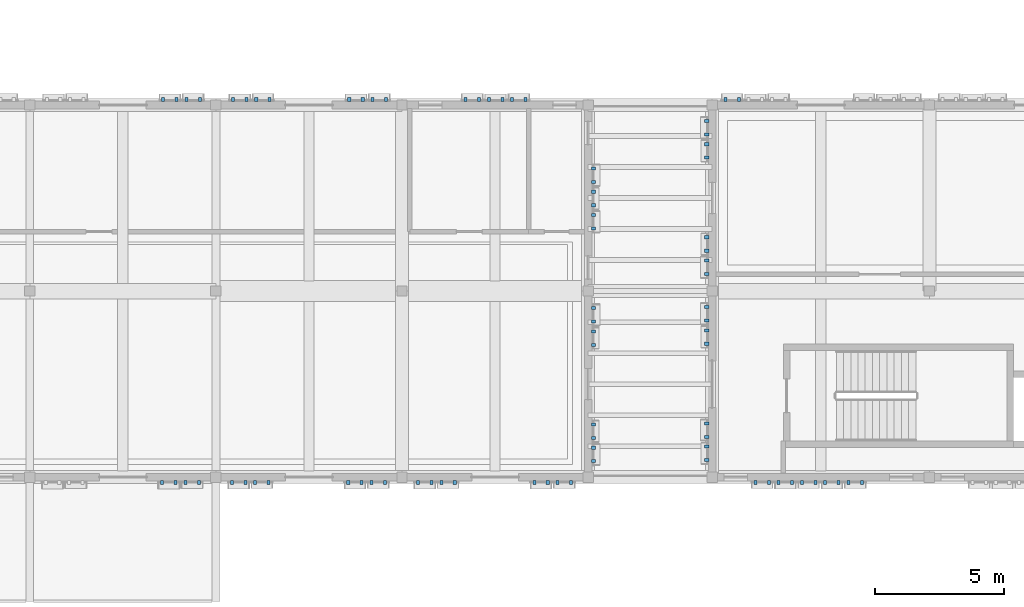
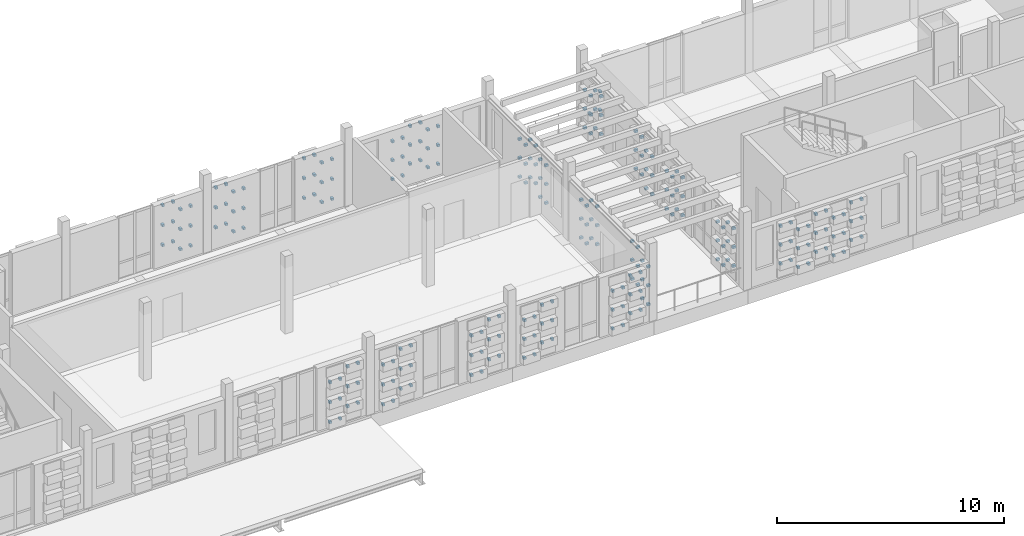
# One storey, part 83 of 99: 237 discrete accessories.
"""IFC4 building model written with IfcOpenShell, lengths in metres."""

from ifc_helpers import new_model, si_unit, direction, frame, origin, origin_2d, place, context, subcontext, project, spatial, rectangle, extrude, material, type_object, element, save


model = new_model("IFC4")

# Units and contexts
model_context = context("Model", 3, precision=1e-05, world=origin(), true_north=direction((0.0, 1.0)))
body_context = subcontext(model_context, "Body", "Model", "MODEL_VIEW")
ifc_project = project(units=[si_unit("LENGTHUNIT", "METRE"), si_unit("AREAUNIT", "SQUARE_METRE"), si_unit("VOLUMEUNIT", "CUBIC_METRE"), si_unit("PLANEANGLEUNIT", "RADIAN"), si_unit("MASSUNIT", "GRAM", prefix="KILO")], contexts=[model_context])

# Site, building, storey
site_placement = place(None, origin())
site = spatial("IfcSite", under=ifc_project, at=site_placement, CompositionType="ELEMENT")
building_placement = place(site_placement, origin())
building = spatial("IfcBuilding", under=site, at=building_placement, Name="Kahlenmark Community Centre", CompositionType="ELEMENT")
storey_placement = place(building_placement, frame((0.0, 0.0, 5.39990234375)))
storey = spatial("IfcBuildingStorey", under=building, at=storey_placement, Name="L01", CompositionType="ELEMENT", Elevation=5.39990234375)

# Discrete accessories
ifc_material = material(Name="Stainless steel 1.4401 rainscreen bracket", Category="steel")
discrete_accessory_type = type_object("IfcDiscreteAccessoryType", Name="DAT-BRACKET-TC", PredefinedType="BRACKET", material=ifc_material)
for number, where, z_axis, x_axis, name in (
    (1, (70.320068359375, 8.590087890625, 0.28759765625), (0.0, 0.0, 1.0), (1.0, 0.0, 0.0), "Terracotta cassette bracket 0989.1"),
    (2, (70.840087890625, 8.590087890625, 0.28759765625), (0.0, 0.0, 1.0), (1.0, 0.0, 0.0), "Terracotta cassette bracket 0989.2"),
    (3, (70.320068359375, 8.590087890625, 1.357421875), (0.0, 0.0, 1.0), (1.0, 0.0, 0.0), "Terracotta cassette bracket 0991.1"),
    (4, (70.840087890625, 8.590087890625, 1.357421875), (0.0, 0.0, 1.0), (1.0, 0.0, 0.0), "Terracotta cassette bracket 0991.2"),
    (5, (70.320068359375, 8.590087890625, 2.427490234375), (0.0, 0.0, 1.0), (1.0, 0.0, 0.0), "Terracotta cassette bracket 0993.1"),
    (6, (70.840087890625, 8.590087890625, 2.427490234375), (0.0, 0.0, 1.0), (1.0, 0.0, 0.0), "Terracotta cassette bracket 0993.2"),
    (7, (71.219970703125, 8.590087890625, 0.822509765625), (0.0, 0.0, 1.0), (1.0, 0.0, 0.0), "Terracotta cassette bracket 0996.1"),
    (8, (71.739990234375, 8.590087890625, 0.822509765625), (0.0, 0.0, 1.0), (1.0, 0.0, 0.0), "Terracotta cassette bracket 0996.2"),
    (9, (71.219970703125, 8.590087890625, 1.892578125), (0.0, 0.0, 1.0), (1.0, 0.0, 0.0), "Terracotta cassette bracket 0998.1"),
    (10, (71.739990234375, 8.590087890625, 1.892578125), (0.0, 0.0, 1.0), (1.0, 0.0, 0.0), "Terracotta cassette bracket 0998.2"),
    (11, (71.219970703125, 8.590087890625, 2.962646484375), (0.0, 0.0, 1.0), (1.0, 0.0, 0.0), "Terracotta cassette bracket 1000.1"),
    (12, (71.739990234375, 8.590087890625, 2.962646484375), (0.0, 0.0, 1.0), (1.0, 0.0, 0.0), "Terracotta cassette bracket 1000.2"),
    (13, (73.02001953125, 8.590087890625, 0.28759765625), (0.0, 0.0, 1.0), (1.0, 0.0, 0.0), "Terracotta cassette bracket 1001.1"),
    (14, (73.5400390625, 8.590087890625, 0.28759765625), (0.0, 0.0, 1.0), (1.0, 0.0, 0.0), "Terracotta cassette bracket 1001.2"),
    (15, (73.02001953125, 8.590087890625, 1.357421875), (0.0, 0.0, 1.0), (1.0, 0.0, 0.0), "Terracotta cassette bracket 1003.1"),
    (16, (73.5400390625, 8.590087890625, 1.357421875), (0.0, 0.0, 1.0), (1.0, 0.0, 0.0), "Terracotta cassette bracket 1003.2"),
    (17, (73.02001953125, 8.590087890625, 2.427490234375), (0.0, 0.0, 1.0), (1.0, 0.0, 0.0), "Terracotta cassette bracket 1005.1"),
    (18, (73.5400390625, 8.590087890625, 2.427490234375), (0.0, 0.0, 1.0), (1.0, 0.0, 0.0), "Terracotta cassette bracket 1005.2"),
    (19, (73.919921875, 8.590087890625, 0.822509765625), (0.0, 0.0, 1.0), (1.0, 0.0, 0.0), "Terracotta cassette bracket 1008.1"),
    (20, (74.43994140625, 8.590087890625, 0.822509765625), (0.0, 0.0, 1.0), (1.0, 0.0, 0.0), "Terracotta cassette bracket 1008.2"),
    (21, (73.919921875, 8.590087890625, 1.892578125), (0.0, 0.0, 1.0), (1.0, 0.0, 0.0), "Terracotta cassette bracket 1010.1"),
    (22, (74.43994140625, 8.590087890625, 1.892578125), (0.0, 0.0, 1.0), (1.0, 0.0, 0.0), "Terracotta cassette bracket 1010.2"),
    (23, (73.919921875, 8.590087890625, 2.962646484375), (0.0, 0.0, 1.0), (1.0, 0.0, 0.0), "Terracotta cassette bracket 1012.1"),
    (24, (74.43994140625, 8.590087890625, 2.962646484375), (0.0, 0.0, 1.0), (1.0, 0.0, 0.0), "Terracotta cassette bracket 1012.2"),
    (25, (77.52001953125, 8.590087890625, 0.28759765625), (0.0, 0.0, 1.0), (1.0, 0.0, 0.0), "Terracotta cassette bracket 1013.1"),
    (26, (78.0400390625, 8.590087890625, 0.28759765625), (0.0, 0.0, 1.0), (1.0, 0.0, 0.0), "Terracotta cassette bracket 1013.2"),
    (27, (77.52001953125, 8.590087890625, 1.357421875), (0.0, 0.0, 1.0), (1.0, 0.0, 0.0), "Terracotta cassette bracket 1015.1"),
    (28, (78.0400390625, 8.590087890625, 1.357421875), (0.0, 0.0, 1.0), (1.0, 0.0, 0.0), "Terracotta cassette bracket 1015.2"),
    (29, (77.52001953125, 8.590087890625, 2.427490234375), (0.0, 0.0, 1.0), (1.0, 0.0, 0.0), "Terracotta cassette bracket 1017.1"),
    (30, (78.0400390625, 8.590087890625, 2.427490234375), (0.0, 0.0, 1.0), (1.0, 0.0, 0.0), "Terracotta cassette bracket 1017.2"),
    (31, (78.419921875, 8.590087890625, 0.822509765625), (0.0, 0.0, 1.0), (1.0, 0.0, 0.0), "Terracotta cassette bracket 1020.1"),
    (32, (78.93994140625, 8.590087890625, 0.822509765625), (0.0, 0.0, 1.0), (1.0, 0.0, 0.0), "Terracotta cassette bracket 1020.2"),
    (33, (78.419921875, 8.590087890625, 1.892578125), (0.0, 0.0, 1.0), (1.0, 0.0, 0.0), "Terracotta cassette bracket 1022.1"),
    (34, (78.93994140625, 8.590087890625, 1.892578125), (0.0, 0.0, 1.0), (1.0, 0.0, 0.0), "Terracotta cassette bracket 1022.2"),
    (35, (78.419921875, 8.590087890625, 2.962646484375), (0.0, 0.0, 1.0), (1.0, 0.0, 0.0), "Terracotta cassette bracket 1024.1"),
    (36, (78.93994140625, 8.590087890625, 2.962646484375), (0.0, 0.0, 1.0), (1.0, 0.0, 0.0), "Terracotta cassette bracket 1024.2"),
    (37, (80.219970703125, 8.590087890625, 0.27392578125), (0.0, 0.0, 1.0), (1.0, 0.0, 0.0), "Terracotta cassette bracket 1025.1"),
    (38, (80.739990234375, 8.590087890625, 0.27392578125), (0.0, 0.0, 1.0), (1.0, 0.0, 0.0), "Terracotta cassette bracket 1025.2"),
    (39, (80.219970703125, 8.590087890625, 1.2900390625), (0.0, 0.0, 1.0), (1.0, 0.0, 0.0), "Terracotta cassette bracket 1027.1"),
    (40, (80.739990234375, 8.590087890625, 1.2900390625), (0.0, 0.0, 1.0), (1.0, 0.0, 0.0), "Terracotta cassette bracket 1027.2"),
    (41, (80.219970703125, 8.590087890625, 2.30615234375), (0.0, 0.0, 1.0), (1.0, 0.0, 0.0), "Terracotta cassette bracket 1029.1"),
    (42, (80.739990234375, 8.590087890625, 2.30615234375), (0.0, 0.0, 1.0), (1.0, 0.0, 0.0), "Terracotta cassette bracket 1029.2"),
    (43, (81.1201171875, 8.590087890625, 0.781982421875), (0.0, 0.0, 1.0), (1.0, 0.0, 0.0), "Terracotta cassette bracket 1032.1"),
    (44, (81.639892578125, 8.590087890625, 0.781982421875), (0.0, 0.0, 1.0), (1.0, 0.0, 0.0), "Terracotta cassette bracket 1032.2"),
    (45, (81.1201171875, 8.590087890625, 1.798095703125), (0.0, 0.0, 1.0), (1.0, 0.0, 0.0), "Terracotta cassette bracket 1034.1"),
    (46, (81.639892578125, 8.590087890625, 1.798095703125), (0.0, 0.0, 1.0), (1.0, 0.0, 0.0), "Terracotta cassette bracket 1034.2"),
    (47, (81.1201171875, 8.590087890625, 2.81396484375), (0.0, 0.0, 1.0), (1.0, 0.0, 0.0), "Terracotta cassette bracket 1036.1"),
    (48, (81.639892578125, 8.590087890625, 2.81396484375), (0.0, 0.0, 1.0), (1.0, 0.0, 0.0), "Terracotta cassette bracket 1036.2"),
    (49, (84.719970703125, 8.590087890625, 0.27392578125), (0.0, 0.0, 1.0), (1.0, 0.0, 0.0), "Terracotta cassette bracket 1037.1"),
    (50, (85.239990234375, 8.590087890625, 0.27392578125), (0.0, 0.0, 1.0), (1.0, 0.0, 0.0), "Terracotta cassette bracket 1037.2"),
    (51, (84.719970703125, 8.590087890625, 1.2900390625), (0.0, 0.0, 1.0), (1.0, 0.0, 0.0), "Terracotta cassette bracket 1039.1"),
    (52, (85.239990234375, 8.590087890625, 1.2900390625), (0.0, 0.0, 1.0), (1.0, 0.0, 0.0), "Terracotta cassette bracket 1039.2"),
    (53, (84.719970703125, 8.590087890625, 2.30615234375), (0.0, 0.0, 1.0), (1.0, 0.0, 0.0), "Terracotta cassette bracket 1041.1"),
    (54, (85.239990234375, 8.590087890625, 2.30615234375), (0.0, 0.0, 1.0), (1.0, 0.0, 0.0), "Terracotta cassette bracket 1041.2"),
    (55, (85.6201171875, 8.590087890625, 0.781982421875), (0.0, 0.0, 1.0), (1.0, 0.0, 0.0), "Terracotta cassette bracket 1044.1"),
    (56, (86.139892578125, 8.590087890625, 0.781982421875), (0.0, 0.0, 1.0), (1.0, 0.0, 0.0), "Terracotta cassette bracket 1044.2"),
    (57, (85.6201171875, 8.590087890625, 1.798095703125), (0.0, 0.0, 1.0), (1.0, 0.0, 0.0), "Terracotta cassette bracket 1046.1"),
    (58, (86.139892578125, 8.590087890625, 1.798095703125), (0.0, 0.0, 1.0), (1.0, 0.0, 0.0), "Terracotta cassette bracket 1046.2"),
    (59, (85.6201171875, 8.590087890625, 2.81396484375), (0.0, 0.0, 1.0), (1.0, 0.0, 0.0), "Terracotta cassette bracket 1048.1"),
    (60, (86.139892578125, 8.590087890625, 2.81396484375), (0.0, 0.0, 1.0), (1.0, 0.0, 0.0), "Terracotta cassette bracket 1048.2"),
    (61, (71.780029296875, 23.409912109375, 0.28759765625), (0.0, 0.0, 1.0), (-1.0, 0.0, 0.0), "Terracotta cassette bracket 1097.1"),
    (62, (71.260009765625, 23.409912109375, 0.28759765625), (0.0, 0.0, 1.0), (-1.0, 0.0, 0.0), "Terracotta cassette bracket 1097.2"),
    (63, (71.780029296875, 23.409912109375, 1.357421875), (0.0, 0.0, 1.0), (-1.0, 0.0, 0.0), "Terracotta cassette bracket 1099.1"),
    (64, (71.260009765625, 23.409912109375, 1.357421875), (0.0, 0.0, 1.0), (-1.0, 0.0, 0.0), "Terracotta cassette bracket 1099.2"),
    (65, (71.780029296875, 23.409912109375, 2.427490234375), (0.0, 0.0, 1.0), (-1.0, 0.0, 0.0), "Terracotta cassette bracket 1101.1"),
    (66, (71.260009765625, 23.409912109375, 2.427490234375), (0.0, 0.0, 1.0), (-1.0, 0.0, 0.0), "Terracotta cassette bracket 1101.2"),
    (67, (70.8798828125, 23.409912109375, 0.822509765625), (0.0, 0.0, 1.0), (-1.0, 0.0, 0.0), "Terracotta cassette bracket 1104.1"),
    (68, (70.360107421875, 23.409912109375, 0.822509765625), (0.0, 0.0, 1.0), (-1.0, 0.0, 0.0), "Terracotta cassette bracket 1104.2"),
    (69, (70.8798828125, 23.409912109375, 1.892578125), (0.0, 0.0, 1.0), (-1.0, 0.0, 0.0), "Terracotta cassette bracket 1106.1"),
    (70, (70.360107421875, 23.409912109375, 1.892578125), (0.0, 0.0, 1.0), (-1.0, 0.0, 0.0), "Terracotta cassette bracket 1106.2"),
    (71, (70.8798828125, 23.409912109375, 2.962646484375), (0.0, 0.0, 1.0), (-1.0, 0.0, 0.0), "Terracotta cassette bracket 1108.1"),
    (72, (70.360107421875, 23.409912109375, 2.962646484375), (0.0, 0.0, 1.0), (-1.0, 0.0, 0.0), "Terracotta cassette bracket 1108.2"),
    (73, (78.97998046875, 23.409912109375, 0.28759765625), (0.0, 0.0, 1.0), (-1.0, 0.0, 0.0), "Terracotta cassette bracket 1121.1"),
    (74, (78.4599609375, 23.409912109375, 0.28759765625), (0.0, 0.0, 1.0), (-1.0, 0.0, 0.0), "Terracotta cassette bracket 1121.2"),
    (75, (78.97998046875, 23.409912109375, 1.357421875), (0.0, 0.0, 1.0), (-1.0, 0.0, 0.0), "Terracotta cassette bracket 1123.1"),
    (76, (78.4599609375, 23.409912109375, 1.357421875), (0.0, 0.0, 1.0), (-1.0, 0.0, 0.0), "Terracotta cassette bracket 1123.2"),
    (77, (78.97998046875, 23.409912109375, 2.427490234375), (0.0, 0.0, 1.0), (-1.0, 0.0, 0.0), "Terracotta cassette bracket 1125.1"),
    (78, (78.4599609375, 23.409912109375, 2.427490234375), (0.0, 0.0, 1.0), (-1.0, 0.0, 0.0), "Terracotta cassette bracket 1125.2"),
    (79, (78.080078125, 23.409912109375, 0.822509765625), (0.0, 0.0, 1.0), (-1.0, 0.0, 0.0), "Terracotta cassette bracket 1128.1"),
    (80, (77.56005859375, 23.409912109375, 0.822509765625), (0.0, 0.0, 1.0), (-1.0, 0.0, 0.0), "Terracotta cassette bracket 1128.2"),
    (81, (78.080078125, 23.409912109375, 1.892578125), (0.0, 0.0, 1.0), (-1.0, 0.0, 0.0), "Terracotta cassette bracket 1130.1"),
    (82, (77.56005859375, 23.409912109375, 1.892578125), (0.0, 0.0, 1.0), (-1.0, 0.0, 0.0), "Terracotta cassette bracket 1130.2"),
    (83, (78.080078125, 23.409912109375, 2.962646484375), (0.0, 0.0, 1.0), (-1.0, 0.0, 0.0), "Terracotta cassette bracket 1132.1"),
    (84, (77.56005859375, 23.409912109375, 2.962646484375), (0.0, 0.0, 1.0), (-1.0, 0.0, 0.0), "Terracotta cassette bracket 1132.2"),
    (85, (74.47998046875, 23.409912109375, 0.28759765625), (0.0, 0.0, 1.0), (-1.0, 0.0, 0.0), "Terracotta cassette bracket 1133.1"),
    (86, (73.9599609375, 23.409912109375, 0.28759765625), (0.0, 0.0, 1.0), (-1.0, 0.0, 0.0), "Terracotta cassette bracket 1133.2"),
    (87, (74.47998046875, 23.409912109375, 1.357421875), (0.0, 0.0, 1.0), (-1.0, 0.0, 0.0), "Terracotta cassette bracket 1135.1"),
    (88, (73.9599609375, 23.409912109375, 1.357421875), (0.0, 0.0, 1.0), (-1.0, 0.0, 0.0), "Terracotta cassette bracket 1135.2"),
    (89, (74.47998046875, 23.409912109375, 2.427490234375), (0.0, 0.0, 1.0), (-1.0, 0.0, 0.0), "Terracotta cassette bracket 1137.1"),
    (90, (73.9599609375, 23.409912109375, 2.427490234375), (0.0, 0.0, 1.0), (-1.0, 0.0, 0.0), "Terracotta cassette bracket 1137.2"),
    (91, (73.580078125, 23.409912109375, 0.822509765625), (0.0, 0.0, 1.0), (-1.0, 0.0, 0.0), "Terracotta cassette bracket 1140.1"),
    (92, (73.06005859375, 23.409912109375, 0.822509765625), (0.0, 0.0, 1.0), (-1.0, 0.0, 0.0), "Terracotta cassette bracket 1140.2"),
    (93, (73.580078125, 23.409912109375, 1.892578125), (0.0, 0.0, 1.0), (-1.0, 0.0, 0.0), "Terracotta cassette bracket 1142.1"),
    (94, (73.06005859375, 23.409912109375, 1.892578125), (0.0, 0.0, 1.0), (-1.0, 0.0, 0.0), "Terracotta cassette bracket 1142.2"),
    (95, (73.580078125, 23.409912109375, 2.962646484375), (0.0, 0.0, 1.0), (-1.0, 0.0, 0.0), "Terracotta cassette bracket 1144.1"),
    (96, (73.06005859375, 23.409912109375, 2.962646484375), (0.0, 0.0, 1.0), (-1.0, 0.0, 0.0), "Terracotta cassette bracket 1144.2"),
    (97, (84.3798828125, 23.409912109375, 0.27392578125), (0.0, 0.0, 1.0), (-1.0, 0.0, 0.0), "Terracotta cassette bracket 1145.1"),
    (98, (83.860107421875, 23.409912109375, 0.27392578125), (0.0, 0.0, 1.0), (-1.0, 0.0, 0.0), "Terracotta cassette bracket 1145.2"),
    (99, (84.3798828125, 23.409912109375, 1.2900390625), (0.0, 0.0, 1.0), (-1.0, 0.0, 0.0), "Terracotta cassette bracket 1147.1"),
    (100, (83.860107421875, 23.409912109375, 1.2900390625), (0.0, 0.0, 1.0), (-1.0, 0.0, 0.0), "Terracotta cassette bracket 1147.2"),
    (101, (84.3798828125, 23.409912109375, 2.30615234375), (0.0, 0.0, 1.0), (-1.0, 0.0, 0.0), "Terracotta cassette bracket 1149.1"),
    (102, (83.860107421875, 23.409912109375, 2.30615234375), (0.0, 0.0, 1.0), (-1.0, 0.0, 0.0), "Terracotta cassette bracket 1149.2"),
    (103, (83.47998046875, 23.409912109375, 0.781982421875), (0.0, 0.0, 1.0), (-1.0, 0.0, 0.0), "Terracotta cassette bracket 1152.1"),
    (104, (82.9599609375, 23.409912109375, 0.781982421875), (0.0, 0.0, 1.0), (-1.0, 0.0, 0.0), "Terracotta cassette bracket 1152.2"),
    (105, (83.47998046875, 23.409912109375, 1.798095703125), (0.0, 0.0, 1.0), (-1.0, 0.0, 0.0), "Terracotta cassette bracket 1154.1"),
    (106, (82.9599609375, 23.409912109375, 1.798095703125), (0.0, 0.0, 1.0), (-1.0, 0.0, 0.0), "Terracotta cassette bracket 1154.2"),
    (107, (83.47998046875, 23.409912109375, 2.81396484375), (0.0, 0.0, 1.0), (-1.0, 0.0, 0.0), "Terracotta cassette bracket 1156.1"),
    (108, (82.9599609375, 23.409912109375, 2.81396484375), (0.0, 0.0, 1.0), (-1.0, 0.0, 0.0), "Terracotta cassette bracket 1156.2"),
    (109, (82.580078125, 23.409912109375, 0.27392578125), (0.0, 0.0, 1.0), (-1.0, 0.0, 0.0), "Terracotta cassette bracket 1157.1"),
    (110, (82.06005859375, 23.409912109375, 0.27392578125), (0.0, 0.0, 1.0), (-1.0, 0.0, 0.0), "Terracotta cassette bracket 1157.2"),
    (111, (82.580078125, 23.409912109375, 1.2900390625), (0.0, 0.0, 1.0), (-1.0, 0.0, 0.0), "Terracotta cassette bracket 1159.1"),
    (112, (82.06005859375, 23.409912109375, 1.2900390625), (0.0, 0.0, 1.0), (-1.0, 0.0, 0.0), "Terracotta cassette bracket 1159.2"),
    (113, (82.580078125, 23.409912109375, 2.30615234375), (0.0, 0.0, 1.0), (-1.0, 0.0, 0.0), "Terracotta cassette bracket 1161.1"),
    (114, (82.06005859375, 23.409912109375, 2.30615234375), (0.0, 0.0, 1.0), (-1.0, 0.0, 0.0), "Terracotta cassette bracket 1161.2"),
    (115, (87.010009765625, 9.419921875, 0.27392578125), (0.0, 0.0, 1.0), (0.0, 1.0, 0.0), "Terracotta cassette bracket 1211.1"),
    (116, (87.010009765625, 9.93994140625, 0.27392578125), (0.0, 0.0, 1.0), (0.0, 1.0, 0.0), "Terracotta cassette bracket 1211.2"),
    (117, (87.010009765625, 9.419921875, 1.2900390625), (0.0, 0.0, 1.0), (0.0, 1.0, 0.0), "Terracotta cassette bracket 1213.1"),
    (118, (87.010009765625, 9.93994140625, 1.2900390625), (0.0, 0.0, 1.0), (0.0, 1.0, 0.0), "Terracotta cassette bracket 1213.2"),
    (119, (87.010009765625, 9.419921875, 2.30615234375), (0.0, 0.0, 1.0), (0.0, 1.0, 0.0), "Terracotta cassette bracket 1215.1"),
    (120, (87.010009765625, 9.93994140625, 2.30615234375), (0.0, 0.0, 1.0), (0.0, 1.0, 0.0), "Terracotta cassette bracket 1215.2"),
    (121, (87.010009765625, 10.320068359375, 0.781982421875), (0.0, 0.0, 1.0), (0.0, 1.0, 0.0), "Terracotta cassette bracket 1218.1"),
    (122, (87.010009765625, 10.840087890625, 0.781982421875), (0.0, 0.0, 1.0), (0.0, 1.0, 0.0), "Terracotta cassette bracket 1218.2"),
    (123, (87.010009765625, 10.320068359375, 1.798095703125), (0.0, 0.0, 1.0), (0.0, 1.0, 0.0), "Terracotta cassette bracket 1220.1"),
    (124, (87.010009765625, 10.840087890625, 1.798095703125), (0.0, 0.0, 1.0), (0.0, 1.0, 0.0), "Terracotta cassette bracket 1220.2"),
    (125, (87.010009765625, 10.320068359375, 2.81396484375), (0.0, 0.0, 1.0), (0.0, 1.0, 0.0), "Terracotta cassette bracket 1222.1"),
    (126, (87.010009765625, 10.840087890625, 2.81396484375), (0.0, 0.0, 1.0), (0.0, 1.0, 0.0), "Terracotta cassette bracket 1222.2"),
    (127, (87.010009765625, 13.919921875, 0.781982421875), (0.0, 0.0, 1.0), (0.0, 1.0, 0.0), "Terracotta cassette bracket 1224.1"),
    (128, (87.010009765625, 14.43994140625, 0.781982421875), (0.0, 0.0, 1.0), (0.0, 1.0, 0.0), "Terracotta cassette bracket 1224.2"),
    (129, (87.010009765625, 13.919921875, 1.798095703125), (0.0, 0.0, 1.0), (0.0, 1.0, 0.0), "Terracotta cassette bracket 1226.1"),
    (130, (87.010009765625, 14.43994140625, 1.798095703125), (0.0, 0.0, 1.0), (0.0, 1.0, 0.0), "Terracotta cassette bracket 1226.2"),
    (131, (87.010009765625, 13.919921875, 2.81396484375), (0.0, 0.0, 1.0), (0.0, 1.0, 0.0), "Terracotta cassette bracket 1228.1"),
    (132, (87.010009765625, 14.43994140625, 2.81396484375), (0.0, 0.0, 1.0), (0.0, 1.0, 0.0), "Terracotta cassette bracket 1228.2"),
    (133, (87.010009765625, 14.820068359375, 0.27392578125), (0.0, 0.0, 1.0), (0.0, 1.0, 0.0), "Terracotta cassette bracket 1229.1"),
    (134, (87.010009765625, 15.340087890625, 0.27392578125), (0.0, 0.0, 1.0), (0.0, 1.0, 0.0), "Terracotta cassette bracket 1229.2"),
    (135, (87.010009765625, 14.820068359375, 1.2900390625), (0.0, 0.0, 1.0), (0.0, 1.0, 0.0), "Terracotta cassette bracket 1231.1"),
    (136, (87.010009765625, 15.340087890625, 1.2900390625), (0.0, 0.0, 1.0), (0.0, 1.0, 0.0), "Terracotta cassette bracket 1231.2"),
    (137, (87.010009765625, 14.820068359375, 2.30615234375), (0.0, 0.0, 1.0), (0.0, 1.0, 0.0), "Terracotta cassette bracket 1233.1"),
    (138, (87.010009765625, 15.340087890625, 2.30615234375), (0.0, 0.0, 1.0), (0.0, 1.0, 0.0), "Terracotta cassette bracket 1233.2"),
    (139, (87.010009765625, 18.419921875, 0.27392578125), (0.0, 0.0, 1.0), (0.0, 1.0, 0.0), "Terracotta cassette bracket 1235.1"),
    (140, (87.010009765625, 18.93994140625, 0.27392578125), (0.0, 0.0, 1.0), (0.0, 1.0, 0.0), "Terracotta cassette bracket 1235.2"),
    (141, (87.010009765625, 18.419921875, 1.2900390625), (0.0, 0.0, 1.0), (0.0, 1.0, 0.0), "Terracotta cassette bracket 1237.1"),
    (142, (87.010009765625, 18.93994140625, 1.2900390625), (0.0, 0.0, 1.0), (0.0, 1.0, 0.0), "Terracotta cassette bracket 1237.2"),
    (143, (87.010009765625, 18.419921875, 2.30615234375), (0.0, 0.0, 1.0), (0.0, 1.0, 0.0), "Terracotta cassette bracket 1239.1"),
    (144, (87.010009765625, 18.93994140625, 2.30615234375), (0.0, 0.0, 1.0), (0.0, 1.0, 0.0), "Terracotta cassette bracket 1239.2"),
    (145, (87.010009765625, 19.320068359375, 0.781982421875), (0.0, 0.0, 1.0), (0.0, 1.0, 0.0), "Terracotta cassette bracket 1242.1"),
    (146, (87.010009765625, 19.840087890625, 0.781982421875), (0.0, 0.0, 1.0), (0.0, 1.0, 0.0), "Terracotta cassette bracket 1242.2"),
    (147, (87.010009765625, 19.320068359375, 1.798095703125), (0.0, 0.0, 1.0), (0.0, 1.0, 0.0), "Terracotta cassette bracket 1244.1"),
    (148, (87.010009765625, 19.840087890625, 1.798095703125), (0.0, 0.0, 1.0), (0.0, 1.0, 0.0), "Terracotta cassette bracket 1244.2"),
    (149, (87.010009765625, 19.320068359375, 2.81396484375), (0.0, 0.0, 1.0), (0.0, 1.0, 0.0), "Terracotta cassette bracket 1246.1"),
    (150, (87.010009765625, 19.840087890625, 2.81396484375), (0.0, 0.0, 1.0), (0.0, 1.0, 0.0), "Terracotta cassette bracket 1246.2"),
    (151, (87.010009765625, 20.219970703125, 0.27392578125), (0.0, 0.0, 1.0), (0.0, 1.0, 0.0), "Terracotta cassette bracket 1247.1"),
    (152, (87.010009765625, 20.739990234375, 0.27392578125), (0.0, 0.0, 1.0), (0.0, 1.0, 0.0), "Terracotta cassette bracket 1247.2"),
    (153, (87.010009765625, 20.219970703125, 1.2900390625), (0.0, 0.0, 1.0), (0.0, 1.0, 0.0), "Terracotta cassette bracket 1249.1"),
    (154, (87.010009765625, 20.739990234375, 1.2900390625), (0.0, 0.0, 1.0), (0.0, 1.0, 0.0), "Terracotta cassette bracket 1249.2"),
    (155, (87.010009765625, 20.219970703125, 2.30615234375), (0.0, 0.0, 1.0), (0.0, 1.0, 0.0), "Terracotta cassette bracket 1251.1"),
    (156, (87.010009765625, 20.739990234375, 2.30615234375), (0.0, 0.0, 1.0), (0.0, 1.0, 0.0), "Terracotta cassette bracket 1251.2"),
    (157, (93.27001953125, 8.590087890625, 0.781982421875), (0.0, 0.0, 1.0), (1.0, 0.0, 0.0), "Terracotta cassette bracket 1254.1"),
    (158, (93.7900390625, 8.590087890625, 0.781982421875), (0.0, 0.0, 1.0), (1.0, 0.0, 0.0), "Terracotta cassette bracket 1254.2"),
    (159, (93.27001953125, 8.590087890625, 1.798095703125), (0.0, 0.0, 1.0), (1.0, 0.0, 0.0), "Terracotta cassette bracket 1256.1"),
    (160, (93.7900390625, 8.590087890625, 1.798095703125), (0.0, 0.0, 1.0), (1.0, 0.0, 0.0), "Terracotta cassette bracket 1256.2"),
    (161, (93.27001953125, 8.590087890625, 2.81396484375), (0.0, 0.0, 1.0), (1.0, 0.0, 0.0), "Terracotta cassette bracket 1258.1"),
    (162, (93.7900390625, 8.590087890625, 2.81396484375), (0.0, 0.0, 1.0), (1.0, 0.0, 0.0), "Terracotta cassette bracket 1258.2"),
    (163, (94.169921875, 8.590087890625, 0.27392578125), (0.0, 0.0, 1.0), (1.0, 0.0, 0.0), "Terracotta cassette bracket 1259.1"),
    (164, (94.68994140625, 8.590087890625, 0.27392578125), (0.0, 0.0, 1.0), (1.0, 0.0, 0.0), "Terracotta cassette bracket 1259.2"),
    (165, (94.169921875, 8.590087890625, 1.2900390625), (0.0, 0.0, 1.0), (1.0, 0.0, 0.0), "Terracotta cassette bracket 1261.1"),
    (166, (94.68994140625, 8.590087890625, 1.2900390625), (0.0, 0.0, 1.0), (1.0, 0.0, 0.0), "Terracotta cassette bracket 1261.2"),
    (167, (94.169921875, 8.590087890625, 2.30615234375), (0.0, 0.0, 1.0), (1.0, 0.0, 0.0), "Terracotta cassette bracket 1263.1"),
    (168, (94.68994140625, 8.590087890625, 2.30615234375), (0.0, 0.0, 1.0), (1.0, 0.0, 0.0), "Terracotta cassette bracket 1263.2"),
    (169, (95.070068359375, 8.590087890625, 0.781982421875), (0.0, 0.0, 1.0), (1.0, 0.0, 0.0), "Terracotta cassette bracket 1266.1"),
    (170, (95.590087890625, 8.590087890625, 0.781982421875), (0.0, 0.0, 1.0), (1.0, 0.0, 0.0), "Terracotta cassette bracket 1266.2"),
    (171, (95.070068359375, 8.590087890625, 1.798095703125), (0.0, 0.0, 1.0), (1.0, 0.0, 0.0), "Terracotta cassette bracket 1268.1"),
    (172, (95.590087890625, 8.590087890625, 1.798095703125), (0.0, 0.0, 1.0), (1.0, 0.0, 0.0), "Terracotta cassette bracket 1268.2"),
    (173, (95.070068359375, 8.590087890625, 2.81396484375), (0.0, 0.0, 1.0), (1.0, 0.0, 0.0), "Terracotta cassette bracket 1270.1"),
    (174, (95.590087890625, 8.590087890625, 2.81396484375), (0.0, 0.0, 1.0), (1.0, 0.0, 0.0), "Terracotta cassette bracket 1270.2"),
    (175, (95.969970703125, 8.590087890625, 0.27392578125), (0.0, 0.0, 1.0), (1.0, 0.0, 0.0), "Terracotta cassette bracket 1271.1"),
    (176, (96.489990234375, 8.590087890625, 0.27392578125), (0.0, 0.0, 1.0), (1.0, 0.0, 0.0), "Terracotta cassette bracket 1271.2"),
    (177, (95.969970703125, 8.590087890625, 1.2900390625), (0.0, 0.0, 1.0), (1.0, 0.0, 0.0), "Terracotta cassette bracket 1273.1"),
    (178, (96.489990234375, 8.590087890625, 1.2900390625), (0.0, 0.0, 1.0), (1.0, 0.0, 0.0), "Terracotta cassette bracket 1273.2"),
    (179, (95.969970703125, 8.590087890625, 2.30615234375), (0.0, 0.0, 1.0), (1.0, 0.0, 0.0), "Terracotta cassette bracket 1275.1"),
    (180, (96.489990234375, 8.590087890625, 2.30615234375), (0.0, 0.0, 1.0), (1.0, 0.0, 0.0), "Terracotta cassette bracket 1275.2"),
    (181, (96.8701171875, 8.590087890625, 0.781982421875), (0.0, 0.0, 1.0), (1.0, 0.0, 0.0), "Terracotta cassette bracket 1278.1"),
    (182, (97.389892578125, 8.590087890625, 0.781982421875), (0.0, 0.0, 1.0), (1.0, 0.0, 0.0), "Terracotta cassette bracket 1278.2"),
    (183, (96.8701171875, 8.590087890625, 1.798095703125), (0.0, 0.0, 1.0), (1.0, 0.0, 0.0), "Terracotta cassette bracket 1280.1"),
    (184, (97.389892578125, 8.590087890625, 1.798095703125), (0.0, 0.0, 1.0), (1.0, 0.0, 0.0), "Terracotta cassette bracket 1280.2"),
    (185, (96.8701171875, 8.590087890625, 2.81396484375), (0.0, 0.0, 1.0), (1.0, 0.0, 0.0), "Terracotta cassette bracket 1282.1"),
    (186, (97.389892578125, 8.590087890625, 2.81396484375), (0.0, 0.0, 1.0), (1.0, 0.0, 0.0), "Terracotta cassette bracket 1282.2"),
    (187, (92.6298828125, 23.409912109375, 0.27392578125), (0.0, 0.0, 1.0), (-1.0, 0.0, 0.0), "Terracotta cassette bracket 1379.1"),
    (188, (92.110107421875, 23.409912109375, 0.27392578125), (0.0, 0.0, 1.0), (-1.0, 0.0, 0.0), "Terracotta cassette bracket 1379.2"),
    (189, (92.6298828125, 23.409912109375, 1.2900390625), (0.0, 0.0, 1.0), (-1.0, 0.0, 0.0), "Terracotta cassette bracket 1381.1"),
    (190, (91.389892578125, 15.3798828125, 0.27392578125), (0.0, 0.0, 1.0), (0.0, -1.0, 0.0), "Terracotta cassette bracket 1451.1"),
    (191, (91.389892578125, 14.860107421875, 0.27392578125), (0.0, 0.0, 1.0), (0.0, -1.0, 0.0), "Terracotta cassette bracket 1451.2"),
    (192, (91.389892578125, 15.3798828125, 1.2900390625), (0.0, 0.0, 1.0), (0.0, -1.0, 0.0), "Terracotta cassette bracket 1453.1"),
    (193, (91.389892578125, 14.860107421875, 1.2900390625), (0.0, 0.0, 1.0), (0.0, -1.0, 0.0), "Terracotta cassette bracket 1453.2"),
    (194, (91.389892578125, 15.3798828125, 2.30615234375), (0.0, 0.0, 1.0), (0.0, -1.0, 0.0), "Terracotta cassette bracket 1455.1"),
    (195, (91.389892578125, 14.860107421875, 2.30615234375), (0.0, 0.0, 1.0), (0.0, -1.0, 0.0), "Terracotta cassette bracket 1455.2"),
    (196, (91.389892578125, 14.47998046875, 0.781982421875), (0.0, 0.0, 1.0), (0.0, -1.0, 0.0), "Terracotta cassette bracket 1458.1"),
    (197, (91.389892578125, 13.9599609375, 0.781982421875), (0.0, 0.0, 1.0), (0.0, -1.0, 0.0), "Terracotta cassette bracket 1458.2"),
    (198, (91.389892578125, 14.47998046875, 1.798095703125), (0.0, 0.0, 1.0), (0.0, -1.0, 0.0), "Terracotta cassette bracket 1460.1"),
    (199, (91.389892578125, 13.9599609375, 1.798095703125), (0.0, 0.0, 1.0), (0.0, -1.0, 0.0), "Terracotta cassette bracket 1460.2"),
    (200, (91.389892578125, 14.47998046875, 2.81396484375), (0.0, 0.0, 1.0), (0.0, -1.0, 0.0), "Terracotta cassette bracket 1462.1"),
    (201, (91.389892578125, 13.9599609375, 2.81396484375), (0.0, 0.0, 1.0), (0.0, -1.0, 0.0), "Terracotta cassette bracket 1462.2"),
    (202, (91.389892578125, 10.8798828125, 0.27392578125), (0.0, 0.0, 1.0), (0.0, -1.0, 0.0), "Terracotta cassette bracket 1463.1"),
    (203, (91.389892578125, 10.360107421875, 0.27392578125), (0.0, 0.0, 1.0), (0.0, -1.0, 0.0), "Terracotta cassette bracket 1463.2"),
    (204, (91.389892578125, 10.8798828125, 1.2900390625), (0.0, 0.0, 1.0), (0.0, -1.0, 0.0), "Terracotta cassette bracket 1465.1"),
    (205, (91.389892578125, 10.360107421875, 1.2900390625), (0.0, 0.0, 1.0), (0.0, -1.0, 0.0), "Terracotta cassette bracket 1465.2"),
    (206, (91.389892578125, 10.8798828125, 2.30615234375), (0.0, 0.0, 1.0), (0.0, -1.0, 0.0), "Terracotta cassette bracket 1467.1"),
    (207, (91.389892578125, 10.360107421875, 2.30615234375), (0.0, 0.0, 1.0), (0.0, -1.0, 0.0), "Terracotta cassette bracket 1467.2"),
    (208, (91.389892578125, 9.97998046875, 0.781982421875), (0.0, 0.0, 1.0), (0.0, -1.0, 0.0), "Terracotta cassette bracket 1470.1"),
    (209, (91.389892578125, 9.4599609375, 0.781982421875), (0.0, 0.0, 1.0), (0.0, -1.0, 0.0), "Terracotta cassette bracket 1470.2"),
    (210, (91.389892578125, 9.97998046875, 1.798095703125), (0.0, 0.0, 1.0), (0.0, -1.0, 0.0), "Terracotta cassette bracket 1472.1"),
    (211, (91.389892578125, 9.4599609375, 1.798095703125), (0.0, 0.0, 1.0), (0.0, -1.0, 0.0), "Terracotta cassette bracket 1472.2"),
    (212, (91.389892578125, 9.97998046875, 2.81396484375), (0.0, 0.0, 1.0), (0.0, -1.0, 0.0), "Terracotta cassette bracket 1474.1"),
    (213, (91.389892578125, 9.4599609375, 2.81396484375), (0.0, 0.0, 1.0), (0.0, -1.0, 0.0), "Terracotta cassette bracket 1474.2"),
    (214, (91.389892578125, 22.580078125, 0.27392578125), (0.0, 0.0, 1.0), (0.0, -1.0, 0.0), "Terracotta cassette bracket 1475.1"),
    (215, (91.389892578125, 22.06005859375, 0.27392578125), (0.0, 0.0, 1.0), (0.0, -1.0, 0.0), "Terracotta cassette bracket 1475.2"),
    (216, (91.389892578125, 22.580078125, 1.2900390625), (0.0, 0.0, 1.0), (0.0, -1.0, 0.0), "Terracotta cassette bracket 1477.1"),
    (217, (91.389892578125, 22.06005859375, 1.2900390625), (0.0, 0.0, 1.0), (0.0, -1.0, 0.0), "Terracotta cassette bracket 1477.2"),
    (218, (91.389892578125, 22.580078125, 2.30615234375), (0.0, 0.0, 1.0), (0.0, -1.0, 0.0), "Terracotta cassette bracket 1479.1"),
    (219, (91.389892578125, 22.06005859375, 2.30615234375), (0.0, 0.0, 1.0), (0.0, -1.0, 0.0), "Terracotta cassette bracket 1479.2"),
    (220, (91.389892578125, 21.679931640625, 0.781982421875), (0.0, 0.0, 1.0), (0.0, -1.0, 0.0), "Terracotta cassette bracket 1482.1"),
    (221, (91.389892578125, 21.159912109375, 0.781982421875), (0.0, 0.0, 1.0), (0.0, -1.0, 0.0), "Terracotta cassette bracket 1482.2"),
    (222, (91.389892578125, 21.679931640625, 1.798095703125), (0.0, 0.0, 1.0), (0.0, -1.0, 0.0), "Terracotta cassette bracket 1484.1"),
    (223, (91.389892578125, 21.159912109375, 1.798095703125), (0.0, 0.0, 1.0), (0.0, -1.0, 0.0), "Terracotta cassette bracket 1484.2"),
    (224, (91.389892578125, 21.679931640625, 2.81396484375), (0.0, 0.0, 1.0), (0.0, -1.0, 0.0), "Terracotta cassette bracket 1486.1"),
    (225, (91.389892578125, 21.159912109375, 2.81396484375), (0.0, 0.0, 1.0), (0.0, -1.0, 0.0), "Terracotta cassette bracket 1486.2"),
    (226, (91.389892578125, 18.080078125, 0.781982421875), (0.0, 0.0, 1.0), (0.0, -1.0, 0.0), "Terracotta cassette bracket 1488.1"),
    (227, (91.389892578125, 17.56005859375, 0.781982421875), (0.0, 0.0, 1.0), (0.0, -1.0, 0.0), "Terracotta cassette bracket 1488.2"),
    (228, (91.389892578125, 18.080078125, 1.798095703125), (0.0, 0.0, 1.0), (0.0, -1.0, 0.0), "Terracotta cassette bracket 1490.1"),
    (229, (91.389892578125, 17.56005859375, 1.798095703125), (0.0, 0.0, 1.0), (0.0, -1.0, 0.0), "Terracotta cassette bracket 1490.2"),
    (230, (91.389892578125, 18.080078125, 2.81396484375), (0.0, 0.0, 1.0), (0.0, -1.0, 0.0), "Terracotta cassette bracket 1492.1"),
    (231, (91.389892578125, 17.56005859375, 2.81396484375), (0.0, 0.0, 1.0), (0.0, -1.0, 0.0), "Terracotta cassette bracket 1492.2"),
    (232, (91.389892578125, 17.179931640625, 0.27392578125), (0.0, 0.0, 1.0), (0.0, -1.0, 0.0), "Terracotta cassette bracket 1493.1"),
    (233, (91.389892578125, 16.659912109375, 0.27392578125), (0.0, 0.0, 1.0), (0.0, -1.0, 0.0), "Terracotta cassette bracket 1493.2"),
    (234, (91.389892578125, 17.179931640625, 1.2900390625), (0.0, 0.0, 1.0), (0.0, -1.0, 0.0), "Terracotta cassette bracket 1495.1"),
    (235, (91.389892578125, 16.659912109375, 1.2900390625), (0.0, 0.0, 1.0), (0.0, -1.0, 0.0), "Terracotta cassette bracket 1495.2"),
    (236, (91.389892578125, 17.179931640625, 2.30615234375), (0.0, 0.0, 1.0), (0.0, -1.0, 0.0), "Terracotta cassette bracket 1497.1"),
    (237, (91.389892578125, 16.659912109375, 2.30615234375), (0.0, 0.0, 1.0), (0.0, -1.0, 0.0), "Terracotta cassette bracket 1497.2"),
):
    element("IfcDiscreteAccessory", number, at=place(storey_placement, frame(where, z_axis=z_axis, x_axis=x_axis)), inside=storey, type_object=discrete_accessory_type, Name=name, PredefinedType="BRACKET", context=body_context, shape_type="SweptSolid", body=[
        extrude(rectangle(XDim=0.1201171875, YDim=0.159912109375, at=origin_2d()), origin(), (0.0, 0.0, 1.0), 0.1201171875),
    ])

save(model, "model.ifc")
